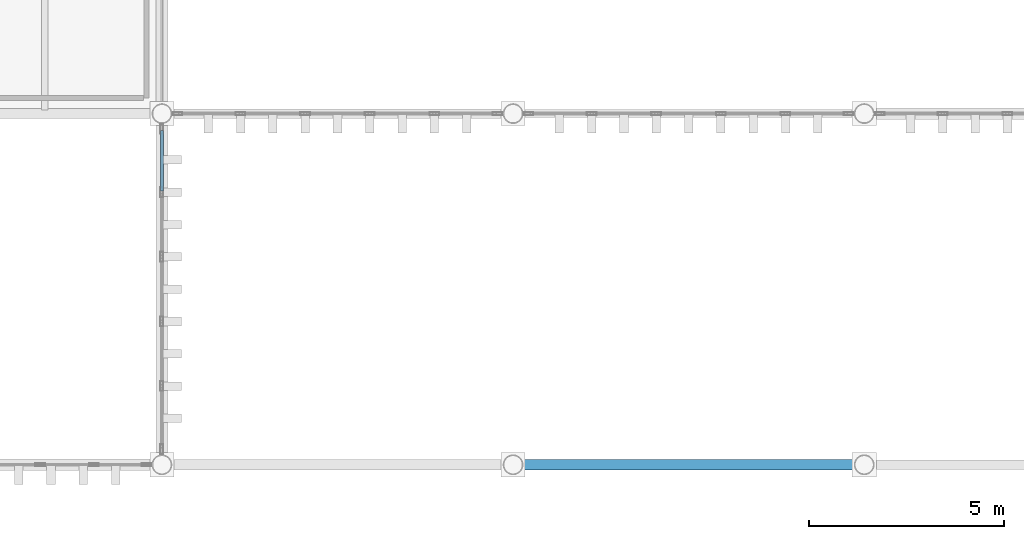
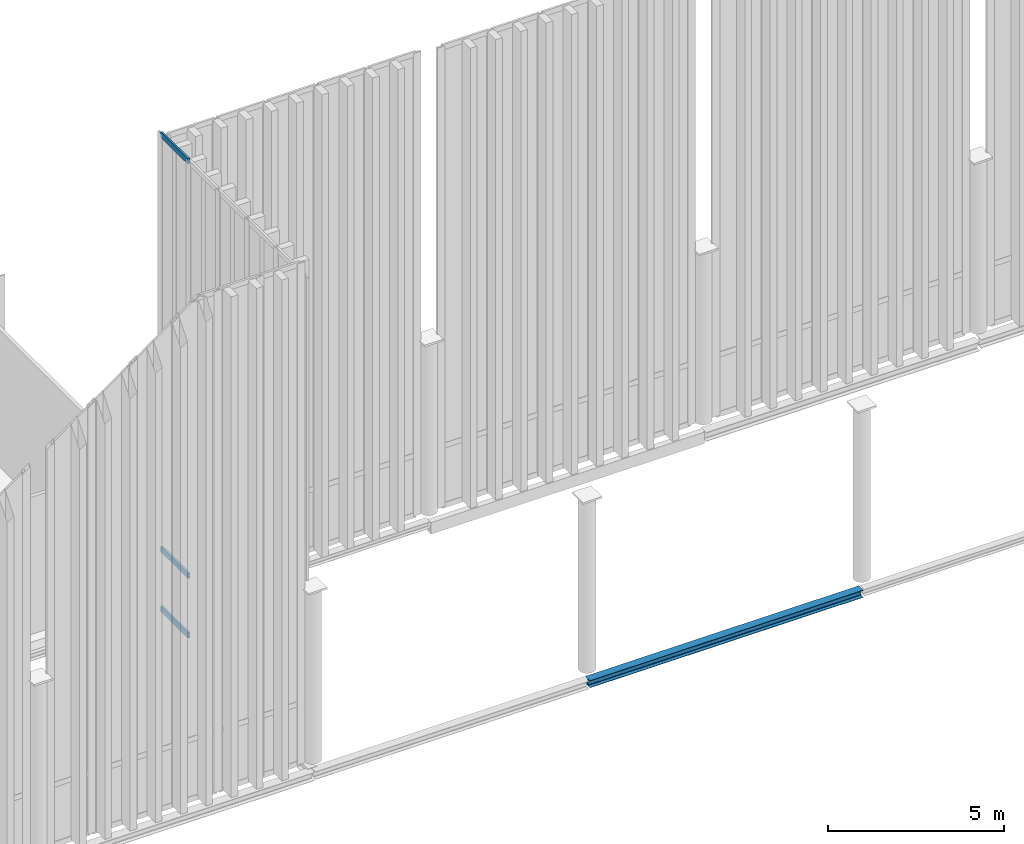
# One storey, part 34 of 237: 3 members, 1 beam, 1 element without a shape of its own.
"""IFC4 building model written with IfcOpenShell, lengths in metres."""

from ifc_helpers import new_model, si_unit, direction, frame, origin, origin_2d, place, context, subcontext, project, spatial, hollow_rectangle, i_section, extrude, material, layer, layer_set, material_profile, profile_set, type_object, element, aggregate, save


model = new_model("IFC4")

# Units and contexts
model_context = context("Model", 3, precision=1e-05, world=origin(), true_north=direction((0.0, 1.0)))
body_context = subcontext(model_context, "Body", "Model", "MODEL_VIEW")
ifc_project = project(units=[si_unit("LENGTHUNIT", "METRE"), si_unit("AREAUNIT", "SQUARE_METRE"), si_unit("VOLUMEUNIT", "CUBIC_METRE"), si_unit("PLANEANGLEUNIT", "RADIAN"), si_unit("MASSUNIT", "GRAM", prefix="KILO")], contexts=[model_context])

# Site, building, storey
site_placement = place(None, origin())
site = spatial("IfcSite", under=ifc_project, at=site_placement, CompositionType="ELEMENT")
building_placement = place(site_placement, origin())
building = spatial("IfcBuilding", under=site, at=building_placement, Name="Barlavento Convention Centre", CompositionType="ELEMENT")
storey_placement = place(building_placement, frame((0.0, 0.0, 12.0)))
storey = spatial("IfcBuildingStorey", under=building, at=storey_placement, Name="L02", CompositionType="ELEMENT", Elevation=12.0)

# Curtain wall, members
ifc_material_1 = material(Name="Powder-coated aluminium and Low-E glass", Category="aluminium")
ifc_layer = layer(ifc_material_1, 0.18994140625)
ifc_layer_set = layer_set([ifc_layer], Name="ARC-CW-CONG-L02")
curtain_wall_type = type_object("IfcCurtainWallType", Name="ARC-CW-CONG-L02", PredefinedType="NOTDEFINED", material=ifc_layer_set)
curtain_wall_placement = place(storey_placement, origin())
curtain_wall = element("IfcCurtainWall", 1, at=curtain_wall_placement, inside=storey, type_object=curtain_wall_type, Name="L02 unitised curtain wall CW02", PredefinedType="NOTDEFINED")
ifc_material_2 = material(Name="Powder-coated aluminium", Category="aluminium")
ifc_material_profile_1 = material_profile(ifc_material_2, hollow_rectangle(XDim=0.070068359375, YDim=0.179931640625, WallThickness=0.0048828125, at=origin_2d()), Name="AL-TRAN 70x180x5")
ifc_profile_set_1 = profile_set([ifc_material_profile_1], Name="Powder-coated aluminium")
member_type = type_object("IfcMemberType", Name="ARC-CWT-70X180", PredefinedType="USERDEFINED", material=ifc_profile_set_1)
member_1_placement = place(storey_placement, frame((18.0, 7.022216796875, 0.034912109375), z_axis=(0.0, 1.0, 0.0), x_axis=(-1.0, 0.0, 0.0)))
member_1 = element("IfcMember", 2, at=member_1_placement, type_object=member_type, Name="CW02 transom 5.1", ObjectType="TRANSOM", PredefinedType="USERDEFINED", context=body_context, shape_type="SweptSolid", body=[
    extrude(hollow_rectangle(XDim=0.070068359375, YDim=0.179931640625, WallThickness=0.0048828125, at=origin_2d()), origin(), (0.0, 0.0, 1.0), 1.543701171875),
])
member_2_placement = place(storey_placement, frame((18.0, 7.022216796875, 2.10009765625), z_axis=(0.0, 1.0, 0.0), x_axis=(-1.0, 0.0, 0.0)))
member_2 = element("IfcMember", 3, at=member_2_placement, type_object=member_type, Name="CW02 transom 5.2", ObjectType="TRANSOM", PredefinedType="USERDEFINED", context=body_context, shape_type="SweptSolid", body=[
    extrude(hollow_rectangle(XDim=0.070068359375, YDim=0.179931640625, WallThickness=0.0048828125, at=origin_2d()), origin(), (0.0, 0.0, 1.0), 1.543701171875),
])
member_3_placement = place(storey_placement, frame((18.0, 7.022216796875, 16.458984375), z_axis=(0.0, 1.0, 0.0), x_axis=(-1.0, 0.0, 0.0)))
member_3 = element("IfcMember", 4, at=member_3_placement, type_object=member_type, Name="CW02 transom 5.3", ObjectType="TRANSOM", PredefinedType="USERDEFINED", context=body_context, shape_type="SweptSolid", body=[
    extrude(hollow_rectangle(XDim=0.070068359375, YDim=0.179931640625, WallThickness=0.0048828125, at=origin_2d()), origin(), (0.0, 0.0, 1.0), 1.543701171875),
])
aggregate(curtain_wall, [member_1, member_2, member_3])

# Beam
ifc_material_3 = material(Name="Steel S355", Category="steel")
ifc_material_profile_2 = material_profile(ifc_material_3, i_section(OverallWidth=0.260009765625, OverallDepth=0.25, WebThickness=0.007568359375, FlangeThickness=0.012451171875, FilletRadius=0.02392578125, at=origin_2d()), Name="HEA 260")
ifc_profile_set_2 = profile_set([ifc_material_profile_2], Name="Steel S355")
beam_type = type_object("IfcBeamType", Name="STR-BM-SPN-HEA260", PredefinedType="SPANDREL", material=ifc_profile_set_2)
beam_placement = place(storey_placement, frame((27.02001953125, 0.0, -0.485107421875), z_axis=(1.0, 0.0, 0.0), x_axis=(0.0, 1.0, 0.0)))
element("IfcBeam", 5, at=beam_placement, inside=storey, type_object=beam_type, Name="L02 primary girder SP04", PredefinedType="SPANDREL", context=body_context, shape_type="SweptSolid", body=[
    extrude(i_section(OverallWidth=0.260009765625, OverallDepth=0.25, WebThickness=0.007568359375, FlangeThickness=0.012451171875, FilletRadius=0.02392578125, at=origin_2d()), origin(), (0.0, 0.0, 1.0), 8.9599609375),
])

save(model, "model.ifc")
